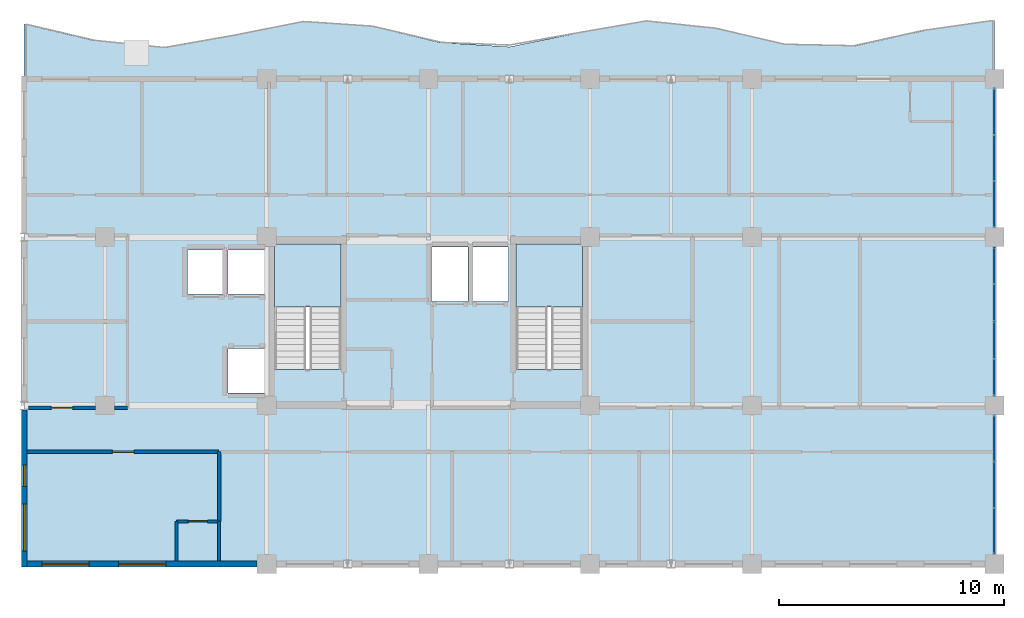
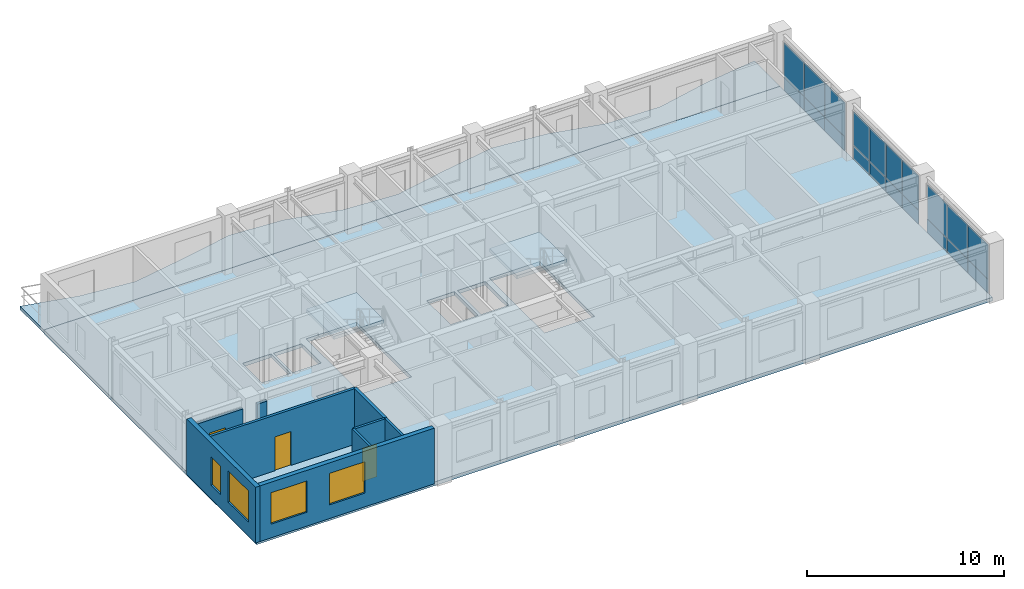
# One storey, part 5 of 11: 20 plates, 9 walls, 4 slabs, 4 windows, 3 doors, 7 openings, 5 elements without a shape of their own.
"""IFC4 building model written with IfcOpenShell, lengths in metres."""

from ifc_helpers import new_model, si_unit, direction, frame, frame_2d, origin, origin_2d, place, context, subcontext, project, spatial, polyline, rectangle, outline, extrude, source, transform, mapped, material, layer, layer_set, type_object, element, fill, aggregate, save


model = new_model("IFC4")

# Units and contexts
model_context = context("Model", 3, precision=1e-05, world=origin(), true_north=direction((0.0, 1.0)))
body_context = subcontext(model_context, "Body", "Model", "MODEL_VIEW")
ifc_project = project(units=[si_unit("LENGTHUNIT", "METRE"), si_unit("AREAUNIT", "SQUARE_METRE"), si_unit("VOLUMEUNIT", "CUBIC_METRE"), si_unit("PLANEANGLEUNIT", "RADIAN"), si_unit("MASSUNIT", "GRAM", prefix="KILO")], contexts=[model_context])

# Site, building, storey
site_placement = place(None, origin())
site = spatial("IfcSite", under=ifc_project, at=site_placement, CompositionType="ELEMENT")
building_placement = place(site_placement, origin())
building = spatial("IfcBuilding", under=site, at=building_placement, Name="Kaliganga Portal Commons", CompositionType="ELEMENT")
storey_placement = place(building_placement, frame((0.0, 0.0, 253.60009765625)))
storey = spatial("IfcBuildingStorey", under=building, at=storey_placement, Name="L65", CompositionType="ELEMENT", Elevation=253.60009765625)

# Slab
ifc_material_1 = material(Name="Concrete C40/50", Category="concrete")
ifc_layer_1 = layer(ifc_material_1, 0.2099609375)
ifc_layer_set_1 = layer_set([ifc_layer_1], Name="Concrete C40/50")
slab_type_1 = type_object("IfcSlabType", Name="SLB-BALC-210", PredefinedType="FLOOR", material=ifc_layer_set_1)
slab_1_placement = place(storey_placement, frame((0.0, 0.0, -0.210205078125)))
element("IfcSlab", 1, at=slab_1_placement, inside=storey, type_object=slab_type_1, Name="Scalloped Tree-Planter Balcony Slab L65 balc_north", PredefinedType="FLOOR", context=body_context, shape_type="SweptSolid", body=[
    extrude(outline(polyline([(46.800048828125, 43.199951171875), (46.800048828125, 45.800048828125), (43.71435546875, 45.3583984375), (40.628662109375, 44.673828125), (37.54296875, 44.739501953125), (34.45703125, 45.460205078125), (31.371337890625, 45.790283203125), (28.28564453125, 45.2509765625), (25.199951171875, 44.624755859375), (22.1142578125, 44.81982421875), (19.028564453125, 45.553466796875), (15.94287109375, 45.76123046875), (12.857177734375, 45.141845703125), (9.771484375, 44.59375), (6.685791015625, 44.912109375), (3.60009765625, 45.635009765625), (3.60009765625, 43.199951171875), (46.800048828125, 43.199951171875)])), origin(), (0.0, 0.0, 1.0), 0.210205078125),
])

# Stair, slab
stair_type = type_object("IfcStairType", Name="ST-CORE-DOGLEG", PredefinedType="HALF_TURN_STAIR", material=ifc_material_1)
stair_1_placement = place(storey_placement, origin())
stair_1 = element("IfcStair", 2, at=stair_1_placement, inside=storey, type_object=stair_type, Name="L65 Protected Exit Stair ST-A1", PredefinedType="HALF_TURN_STAIR")
ifc_layer_2 = layer(ifc_material_1, 0.199951171875)
ifc_layer_set_2 = layer_set([ifc_layer_2], Name="Concrete C40/50")
slab_type_2 = type_object("IfcSlabType", Name="SLB-STAIR-LND", PredefinedType="LANDING", material=ifc_layer_set_2)
slab_2_placement = place(storey_placement, frame((0.0, 0.0, 1.64990234375)))
slab_2 = element("IfcSlab", 3, at=slab_2_placement, type_object=slab_type_2, Name="ST-A1 landing 1", PredefinedType="LANDING", context=body_context, shape_type="SweptSolid", body=[
    extrude(outline(polyline([(17.699951171875, 33.050048828125), (17.699951171875, 35.85009765625), (14.75, 35.85009765625), (14.75, 33.050048828125), (17.699951171875, 33.050048828125)])), origin(), (0.0, 0.0, 1.0), 0.199951171875),
])
aggregate(stair_1, [slab_2])

stair_2_placement = place(storey_placement, origin())
stair_2 = element("IfcStair", 4, at=stair_2_placement, inside=storey, type_object=stair_type, Name="L65 Protected Exit Stair ST-A2", PredefinedType="HALF_TURN_STAIR")
slab_3_placement = place(storey_placement, frame((0.0, 0.0, 1.64990234375)))
slab_3 = element("IfcSlab", 5, at=slab_3_placement, type_object=slab_type_2, Name="ST-A2 landing 1", PredefinedType="LANDING", context=body_context, shape_type="SweptSolid", body=[
    extrude(outline(polyline([(28.449951171875, 33.050048828125), (28.449951171875, 35.85009765625), (25.5, 35.85009765625), (25.5, 33.050048828125), (28.449951171875, 33.050048828125)])), origin(), (0.0, 0.0, 1.0), 0.199951171875),
])
aggregate(stair_2, [slab_3])

# Slab
ifc_layer_3 = layer(ifc_material_1, 0.22509765625)
ifc_layer_set_3 = layer_set([ifc_layer_3], Name="Concrete C40/50")
slab_type_3 = type_object("IfcSlabType", Name="SLB-TWR-220", PredefinedType="FLOOR", material=ifc_layer_set_3)
slab_4_placement = place(storey_placement, frame((0.0, 0.0, -0.22509765625)))
element("IfcSlab", 6, at=slab_4_placement, inside=storey, type_object=slab_type_3, Name="Structural Floor Slab L65", PredefinedType="FLOOR", context=body_context, shape_type="SweptSolid", body=[
    extrude(outline(polyline([(3.60009765625, 21.60009765625), (46.800048828125, 21.60009765625), (46.800048828125, 43.199951171875), (3.60009765625, 43.199951171875), (3.60009765625, 21.60009765625)]), holes=[polyline([(14.75, 30.25390625), (14.75, 35.85009765625), (17.699951171875, 35.85009765625), (17.699951171875, 30.25390625), (14.75, 30.25390625)]), polyline([(25.5, 30.25390625), (25.5, 35.85009765625), (28.449951171875, 35.85009765625), (28.449951171875, 30.25390625), (25.5, 30.25390625)]), polyline([(12.6650390625, 33.614990234375), (12.6650390625, 35.5849609375), (14.3349609375, 35.5849609375), (14.3349609375, 33.614990234375), (12.6650390625, 33.614990234375)]), polyline([(12.6650390625, 29.215087890625), (12.6650390625, 31.18505859375), (14.3349609375, 31.18505859375), (14.3349609375, 29.215087890625), (12.6650390625, 29.215087890625)]), polyline([(10.864990234375, 33.614990234375), (10.864990234375, 35.5849609375), (12.534912109375, 35.5849609375), (12.534912109375, 33.614990234375), (10.864990234375, 33.614990234375)]), polyline([(21.739990234375, 33.2900390625), (21.739990234375, 35.7099609375), (23.360107421875, 35.7099609375), (23.360107421875, 33.2900390625), (21.739990234375, 33.2900390625)]), polyline([(23.5400390625, 33.2900390625), (23.5400390625, 35.7099609375), (25.159912109375, 35.7099609375), (25.159912109375, 33.2900390625), (23.5400390625, 33.2900390625)])]), origin(), (0.0, 0.0, 1.0), 0.22509765625),
])

# Curtain wall, plates
ifc_material_2 = material(Name="Anodized Aluminium and Laminated Low-E Glass", Category="aluminium")
ifc_layer_4 = layer(ifc_material_2, 0.18994140625)
ifc_layer_set_4 = layer_set([ifc_layer_4], Name="Anodized Aluminium and Laminated Low-E Glass")
curtain_wall_type = type_object("IfcCurtainWallType", Name="CW-SYS-05", PredefinedType="NOTDEFINED", material=ifc_layer_set_4)
curtain_wall_1_placement = place(storey_placement, origin())
curtain_wall_1 = element("IfcCurtainWall", 7, at=curtain_wall_1_placement, inside=storey, type_object=curtain_wall_type, Name="CW 05 L65 P1E01S1", PredefinedType="NOTDEFINED")
ifc_material_3 = material(Name="Insulated Dark Spandrel Panel", Category="metal")
ifc_layer_5 = layer(ifc_material_3, 0.044921875)
ifc_layer_set_5 = layer_set([ifc_layer_5], Name="Insulated Dark Spandrel Panel")
plate_type_1 = type_object("IfcPlateType", Name="PLT-SPN-45", PredefinedType="SHEET", material=ifc_layer_set_5)
shared_shape_1 = source(origin(), body_context, "Body", "SweptSolid", [
    extrude(rectangle(XDim=2.02587890625, YDim=0.044921875, at=origin_2d()), origin(), (0.0, 0.0, 1.0), 0.841064453125),
])
plate_1_placement = place(storey_placement, frame((46.800048828125, 23.05908203125, 0.009765625), z_axis=(0.0, 0.0, 1.0), x_axis=(0.0, 1.0, 0.0)))
plate_1 = element("IfcPlate", 8, at=plate_1_placement, type_object=plate_type_1, Name="CW:05:L65:P1E01S1 Spandrel 00", PredefinedType="SHEET", context=body_context, shape_type="MappedRepresentation", body=[
    mapped(shared_shape_1, transform((0.0, 0.0, 0.0), x_axis=(1.0, 0.0, 0.0), y_axis=(0.0, 1.0, 0.0), z_axis=(0.0, 0.0, 1.0), scale=1.0)),
])
plate_2_placement = place(storey_placement, frame((46.800048828125, 25.125, 0.009765625), z_axis=(0.0, 0.0, 1.0), x_axis=(0.0, 1.0, 0.0)))
plate_2 = element("IfcPlate", 9, at=plate_2_placement, type_object=plate_type_1, Name="CW:05:L65:P1E01S1 Spandrel 01", PredefinedType="SHEET", context=body_context, shape_type="MappedRepresentation", body=[
    mapped(shared_shape_1, transform((0.0, 0.0, 0.0), x_axis=(1.0, 0.0, 0.0), y_axis=(0.0, 1.0, 0.0), z_axis=(0.0, 0.0, 1.0), scale=1.0)),
])
plate_3_placement = place(storey_placement, frame((46.800048828125, 27.19091796875, 0.009765625), z_axis=(0.0, 0.0, 1.0), x_axis=(0.0, 1.0, 0.0)))
plate_3 = element("IfcPlate", 10, at=plate_3_placement, type_object=plate_type_1, Name="CW:05:L65:P1E01S1 Spandrel 02", PredefinedType="SHEET", context=body_context, shape_type="MappedRepresentation", body=[
    mapped(shared_shape_1, transform((0.0, 0.0, 0.0), x_axis=(1.0, 0.0, 0.0), y_axis=(0.0, 1.0, 0.0), z_axis=(0.0, 0.0, 1.0), scale=1.0)),
])

curtain_wall_2_placement = place(storey_placement, origin())
curtain_wall_2 = element("IfcCurtainWall", 11, at=curtain_wall_2_placement, inside=storey, type_object=curtain_wall_type, Name="CW 05 L65 P1E01S3", PredefinedType="NOTDEFINED")
plate_4_placement = place(storey_placement, frame((46.800048828125, 37.60888671875, 0.009765625), z_axis=(0.0, 0.0, 1.0), x_axis=(0.0, 1.0, 0.0)))
plate_4 = element("IfcPlate", 12, at=plate_4_placement, type_object=plate_type_1, Name="CW:05:L65:P1E01S3 Spandrel 00", PredefinedType="SHEET", context=body_context, shape_type="MappedRepresentation", body=[
    mapped(shared_shape_1, transform((0.0, 0.0, 0.0), x_axis=(1.0, 0.0, 0.0), y_axis=(0.0, 1.0, 0.0), z_axis=(0.0, 0.0, 1.0), scale=1.0)),
])
plate_5_placement = place(storey_placement, frame((46.800048828125, 39.675048828125, 0.009765625), z_axis=(0.0, 0.0, 1.0), x_axis=(0.0, 1.0, 0.0)))
plate_5 = element("IfcPlate", 13, at=plate_5_placement, type_object=plate_type_1, Name="CW:05:L65:P1E01S3 Spandrel 01", PredefinedType="SHEET", context=body_context, shape_type="MappedRepresentation", body=[
    mapped(shared_shape_1, transform((0.0, 0.0, 0.0), x_axis=(1.0, 0.0, 0.0), y_axis=(0.0, 1.0, 0.0), z_axis=(0.0, 0.0, 1.0), scale=1.0)),
])
plate_6_placement = place(storey_placement, frame((46.800048828125, 41.740966796875, 0.009765625), z_axis=(0.0, 0.0, 1.0), x_axis=(0.0, 1.0, 0.0)))
plate_6 = element("IfcPlate", 14, at=plate_6_placement, type_object=plate_type_1, Name="CW:05:L65:P1E01S3 Spandrel 02", PredefinedType="SHEET", context=body_context, shape_type="MappedRepresentation", body=[
    mapped(shared_shape_1, transform((0.0, 0.0, 0.0), x_axis=(1.0, 0.0, 0.0), y_axis=(0.0, 1.0, 0.0), z_axis=(0.0, 0.0, 1.0), scale=1.0)),
])

# Plate
ifc_material_4 = material(Name="Dark Solar-Control Laminated Low-E IGU", Category="glass")
ifc_layer_6 = layer(ifc_material_4, 0.028076171875)
ifc_layer_set_6 = layer_set([ifc_layer_6], Name="Dark Solar-Control Laminated Low-E IGU")
plate_type_2 = type_object("IfcPlateType", Name="PLT-GLZ-28", PredefinedType="CURTAIN_PANEL", material=ifc_layer_set_6)
shared_shape_2 = source(origin(), body_context, "Body", "SweptSolid", [
    extrude(rectangle(XDim=2.02587890625, YDim=0.028076171875, at=origin_2d()), origin(), (0.0, 0.0, 1.0), 2.114013671875),
])
plate_7_placement = place(storey_placement, frame((46.800048828125, 23.05908203125, 0.87109375), z_axis=(0.0, 0.0, 1.0), x_axis=(0.0, 1.0, 0.0)))
plate_7 = element("IfcPlate", 15, at=plate_7_placement, type_object=plate_type_2, Name="CW:05:L65:P1E01S1 Vision IGU 00", PredefinedType="CURTAIN_PANEL", context=body_context, shape_type="MappedRepresentation", body=[
    mapped(shared_shape_2, transform((0.0, 0.0, 0.0), x_axis=(1.0, 0.0, 0.0), y_axis=(0.0, 1.0, 0.0), z_axis=(0.0, 0.0, 1.0), scale=1.0)),
])

plate_8_placement = place(storey_placement, frame((46.800048828125, 25.125, 0.87109375), z_axis=(0.0, 0.0, 1.0), x_axis=(0.0, 1.0, 0.0)))
plate_8 = element("IfcPlate", 16, at=plate_8_placement, type_object=plate_type_2, Name="CW:05:L65:P1E01S1 Vision IGU 01", PredefinedType="CURTAIN_PANEL", context=body_context, shape_type="MappedRepresentation", body=[
    mapped(shared_shape_2, transform((0.0, 0.0, 0.0), x_axis=(1.0, 0.0, 0.0), y_axis=(0.0, 1.0, 0.0), z_axis=(0.0, 0.0, 1.0), scale=1.0)),
])

plate_9_placement = place(storey_placement, frame((46.800048828125, 27.19091796875, 0.87109375), z_axis=(0.0, 0.0, 1.0), x_axis=(0.0, 1.0, 0.0)))
plate_9 = element("IfcPlate", 17, at=plate_9_placement, type_object=plate_type_2, Name="CW:05:L65:P1E01S1 Vision IGU 02", PredefinedType="CURTAIN_PANEL", context=body_context, shape_type="MappedRepresentation", body=[
    mapped(shared_shape_2, transform((0.0, 0.0, 0.0), x_axis=(1.0, 0.0, 0.0), y_axis=(0.0, 1.0, 0.0), z_axis=(0.0, 0.0, 1.0), scale=1.0)),
])

aggregate(curtain_wall_1, [plate_1, plate_7, plate_2, plate_8, plate_3, plate_9])

plate_10_placement = place(storey_placement, frame((46.800048828125, 37.60888671875, 0.87109375), z_axis=(0.0, 0.0, 1.0), x_axis=(0.0, 1.0, 0.0)))
plate_10 = element("IfcPlate", 18, at=plate_10_placement, type_object=plate_type_2, Name="CW:05:L65:P1E01S3 Vision IGU 00", PredefinedType="CURTAIN_PANEL", context=body_context, shape_type="MappedRepresentation", body=[
    mapped(shared_shape_2, transform((0.0, 0.0, 0.0), x_axis=(1.0, 0.0, 0.0), y_axis=(0.0, 1.0, 0.0), z_axis=(0.0, 0.0, 1.0), scale=1.0)),
])

plate_11_placement = place(storey_placement, frame((46.800048828125, 39.675048828125, 0.87109375), z_axis=(0.0, 0.0, 1.0), x_axis=(0.0, 1.0, 0.0)))
plate_11 = element("IfcPlate", 19, at=plate_11_placement, type_object=plate_type_2, Name="CW:05:L65:P1E01S3 Vision IGU 01", PredefinedType="CURTAIN_PANEL", context=body_context, shape_type="MappedRepresentation", body=[
    mapped(shared_shape_2, transform((0.0, 0.0, 0.0), x_axis=(1.0, 0.0, 0.0), y_axis=(0.0, 1.0, 0.0), z_axis=(0.0, 0.0, 1.0), scale=1.0)),
])

plate_12_placement = place(storey_placement, frame((46.800048828125, 41.740966796875, 0.87109375), z_axis=(0.0, 0.0, 1.0), x_axis=(0.0, 1.0, 0.0)))
plate_12 = element("IfcPlate", 20, at=plate_12_placement, type_object=plate_type_2, Name="CW:05:L65:P1E01S3 Vision IGU 02", PredefinedType="CURTAIN_PANEL", context=body_context, shape_type="MappedRepresentation", body=[
    mapped(shared_shape_2, transform((0.0, 0.0, 0.0), x_axis=(1.0, 0.0, 0.0), y_axis=(0.0, 1.0, 0.0), z_axis=(0.0, 0.0, 1.0), scale=1.0)),
])

aggregate(curtain_wall_2, [plate_4, plate_10, plate_5, plate_11, plate_6, plate_12])

# Curtain wall, plates
curtain_wall_3_placement = place(storey_placement, origin())
curtain_wall_3 = element("IfcCurtainWall", 21, at=curtain_wall_3_placement, inside=storey, type_object=curtain_wall_type, Name="CW 05 L65 P1E01S2", PredefinedType="NOTDEFINED")
shared_shape_3 = source(origin(), body_context, "Body", "SweptSolid", [
    extrude(rectangle(XDim=1.6220703125, YDim=0.044921875, at=origin_2d()), origin(), (0.0, 0.0, 1.0), 0.841064453125),
])
plate_13_placement = place(storey_placement, frame((46.800048828125, 29.906982421875, 0.009765625), z_axis=(0.0, 0.0, 1.0), x_axis=(0.0, 1.0, 0.0)))
plate_13 = element("IfcPlate", 22, at=plate_13_placement, type_object=plate_type_1, Name="CW:05:L65:P1E01S2 Spandrel 00", PredefinedType="SHEET", context=body_context, shape_type="MappedRepresentation", body=[
    mapped(shared_shape_3, transform((0.0, 0.0, 0.0), x_axis=(1.0, 0.0, 0.0), y_axis=(0.0, 1.0, 0.0), z_axis=(0.0, 0.0, 1.0), scale=1.0)),
])
plate_14_placement = place(storey_placement, frame((46.800048828125, 31.569091796875, 0.009765625), z_axis=(0.0, 0.0, 1.0), x_axis=(0.0, 1.0, 0.0)))
plate_14 = element("IfcPlate", 23, at=plate_14_placement, type_object=plate_type_1, Name="CW:05:L65:P1E01S2 Spandrel 01", PredefinedType="SHEET", context=body_context, shape_type="MappedRepresentation", body=[
    mapped(shared_shape_3, transform((0.0, 0.0, 0.0), x_axis=(1.0, 0.0, 0.0), y_axis=(0.0, 1.0, 0.0), z_axis=(0.0, 0.0, 1.0), scale=1.0)),
])
plate_15_placement = place(storey_placement, frame((46.800048828125, 33.23095703125, 0.009765625), z_axis=(0.0, 0.0, 1.0), x_axis=(0.0, 1.0, 0.0)))
plate_15 = element("IfcPlate", 24, at=plate_15_placement, type_object=plate_type_1, Name="CW:05:L65:P1E01S2 Spandrel 02", PredefinedType="SHEET", context=body_context, shape_type="MappedRepresentation", body=[
    mapped(shared_shape_3, transform((0.0, 0.0, 0.0), x_axis=(1.0, 0.0, 0.0), y_axis=(0.0, 1.0, 0.0), z_axis=(0.0, 0.0, 1.0), scale=1.0)),
])
plate_16_placement = place(storey_placement, frame((46.800048828125, 34.89306640625, 0.009765625), z_axis=(0.0, 0.0, 1.0), x_axis=(0.0, 1.0, 0.0)))
plate_16 = element("IfcPlate", 25, at=plate_16_placement, type_object=plate_type_1, Name="CW:05:L65:P1E01S2 Spandrel 03", PredefinedType="SHEET", context=body_context, shape_type="MappedRepresentation", body=[
    mapped(shared_shape_3, transform((0.0, 0.0, 0.0), x_axis=(1.0, 0.0, 0.0), y_axis=(0.0, 1.0, 0.0), z_axis=(0.0, 0.0, 1.0), scale=1.0)),
])
shared_shape_4 = source(origin(), body_context, "Body", "SweptSolid", [
    extrude(rectangle(XDim=1.6220703125, YDim=0.028076171875, at=origin_2d()), origin(), (0.0, 0.0, 1.0), 2.114013671875),
])
plate_17_placement = place(storey_placement, frame((46.800048828125, 29.906982421875, 0.87109375), z_axis=(0.0, 0.0, 1.0), x_axis=(0.0, 1.0, 0.0)))
plate_17 = element("IfcPlate", 26, at=plate_17_placement, type_object=plate_type_2, Name="CW:05:L65:P1E01S2 Vision IGU 00", PredefinedType="CURTAIN_PANEL", context=body_context, shape_type="MappedRepresentation", body=[
    mapped(shared_shape_4, transform((0.0, 0.0, 0.0), x_axis=(1.0, 0.0, 0.0), y_axis=(0.0, 1.0, 0.0), z_axis=(0.0, 0.0, 1.0), scale=1.0)),
])
plate_18_placement = place(storey_placement, frame((46.800048828125, 31.569091796875, 0.87109375), z_axis=(0.0, 0.0, 1.0), x_axis=(0.0, 1.0, 0.0)))
plate_18 = element("IfcPlate", 27, at=plate_18_placement, type_object=plate_type_2, Name="CW:05:L65:P1E01S2 Vision IGU 01", PredefinedType="CURTAIN_PANEL", context=body_context, shape_type="MappedRepresentation", body=[
    mapped(shared_shape_4, transform((0.0, 0.0, 0.0), x_axis=(1.0, 0.0, 0.0), y_axis=(0.0, 1.0, 0.0), z_axis=(0.0, 0.0, 1.0), scale=1.0)),
])
plate_19_placement = place(storey_placement, frame((46.800048828125, 33.23095703125, 0.87109375), z_axis=(0.0, 0.0, 1.0), x_axis=(0.0, 1.0, 0.0)))
plate_19 = element("IfcPlate", 28, at=plate_19_placement, type_object=plate_type_2, Name="CW:05:L65:P1E01S2 Vision IGU 02", PredefinedType="CURTAIN_PANEL", context=body_context, shape_type="MappedRepresentation", body=[
    mapped(shared_shape_4, transform((0.0, 0.0, 0.0), x_axis=(1.0, 0.0, 0.0), y_axis=(0.0, 1.0, 0.0), z_axis=(0.0, 0.0, 1.0), scale=1.0)),
])
plate_20_placement = place(storey_placement, frame((46.800048828125, 34.89306640625, 0.87109375), z_axis=(0.0, 0.0, 1.0), x_axis=(0.0, 1.0, 0.0)))
plate_20 = element("IfcPlate", 29, at=plate_20_placement, type_object=plate_type_2, Name="CW:05:L65:P1E01S2 Vision IGU 03", PredefinedType="CURTAIN_PANEL", context=body_context, shape_type="MappedRepresentation", body=[
    mapped(shared_shape_4, transform((0.0, 0.0, 0.0), x_axis=(1.0, 0.0, 0.0), y_axis=(0.0, 1.0, 0.0), z_axis=(0.0, 0.0, 1.0), scale=1.0)),
])
aggregate(curtain_wall_3, [plate_13, plate_17, plate_14, plate_18, plate_15, plate_19, plate_16, plate_20])

# Wall, openings, windows
ifc_material_5 = material(Name="Insulated Aluminium-Clad Spandrel Assembly", Category="aluminium")
ifc_layer_7 = layer(ifc_material_5, 0.260009765625)
ifc_layer_set_7 = layer_set([ifc_layer_7], Name="Insulated Aluminium-Clad Spandrel Assembly")
wall_type_1 = type_object("IfcWallType", Name="WL-EXT-SPAND-260", PredefinedType="STANDARD", material=ifc_layer_set_7)
wall_1_placement = place(storey_placement, frame((13.97412109375, 21.60009765625, 0.0), z_axis=(0.0, 0.0, 1.0), x_axis=(-1.0, 0.0, 0.0)))
wall_1 = element("IfcWall", 30, at=wall_1_placement, inside=storey, type_object=wall_type_1, Name="Exterior Envelope Wall L65 P1-E00-S1", PredefinedType="STANDARD", context=body_context, shape_type="SweptSolid", body=[
    extrude(rectangle(XDim=10.239013671875, YDim=0.260009765625, at=frame_2d((5.11962890625, 0.0))), origin(), (0.0, 0.0, 1.0), 3.454833984375),
])
opening_1_placement = place(wall_1_placement, frame((4.069580078125, 0.0, 0.85009765625)))
opening_1 = element("IfcOpeningElement", 31, at=opening_1_placement, cuts=wall_1, Name="Opening W-06", PredefinedType="OPENING", context=body_context, shape_type="SweptSolid", body=[
    extrude(rectangle(XDim=2.10009765625, YDim=1.949951171875, at=frame_2d((1.050048828125, 0.97509765625))), frame((0.0, 0.14013671875, 0.0), z_axis=(0.0, -1.0, 0.0), x_axis=(1.0, 0.0, 0.0)), (0.0, 0.0, 1.0), 0.280029296875),
])
opening_2_placement = place(wall_1_placement, frame((7.482421875, 0.0, 0.85009765625)))
opening_2 = element("IfcOpeningElement", 32, at=opening_2_placement, cuts=wall_1, Name="Opening W-06", PredefinedType="OPENING", context=body_context, shape_type="SweptSolid", body=[
    extrude(rectangle(XDim=2.10009765625, YDim=1.949951171875, at=frame_2d((1.050048828125, 0.97509765625))), frame((0.0, 0.14013671875, 0.0), z_axis=(0.0, -1.0, 0.0), x_axis=(1.0, 0.0, 0.0)), (0.0, 0.0, 1.0), 0.280029296875),
])
ifc_material_6 = material(Name="Thermally Broken Aluminium and Low-E Double Glazing", Category="aluminium")
window_type_1 = type_object("IfcWindowType", Name="WIN-PAN-2100", PartitioningType="DOUBLE_PANEL_VERTICAL", PredefinedType="WINDOW", material=ifc_material_6)
window_1_placement = place(opening_1_placement, origin())
window_1 = element("IfcWindow", 33, at=window_1_placement, inside=storey, type_object=window_type_1, Name="Facade Window L65-P1E00S1-01", OverallHeight=1.949951171875, OverallWidth=2.10009765625, PartitioningType="SINGLE_PANEL", PredefinedType="WINDOW", context=body_context, shape_type="SweptSolid", body=[
    extrude(rectangle(XDim=2.10009765625, YDim=1.949951171875, at=frame_2d((1.050048828125, 0.97509765625))), frame((0.0, 0.030029296875, 0.0), z_axis=(0.0, -1.0, 0.0), x_axis=(1.0, 0.0, 0.0)), (0.0, 0.0, 1.0), 0.06005859375),
])
fill(opening_1, window_1)
window_2_placement = place(opening_2_placement, origin())
window_2 = element("IfcWindow", 34, at=window_2_placement, inside=storey, type_object=window_type_1, Name="Facade Window L65-P1E00S1-02", OverallHeight=1.949951171875, OverallWidth=2.10009765625, PartitioningType="SINGLE_PANEL", PredefinedType="WINDOW", context=body_context, shape_type="SweptSolid", body=[
    extrude(rectangle(XDim=2.10009765625, YDim=1.949951171875, at=frame_2d((1.050048828125, 0.97509765625))), frame((0.0, 0.030029296875, 0.0), z_axis=(0.0, -1.0, 0.0), x_axis=(1.0, 0.0, 0.0)), (0.0, 0.0, 1.0), 0.06005859375),
])
fill(opening_2, window_2)

wall_2_placement = place(storey_placement, frame((3.60009765625, 21.469970703125, 0.0), z_axis=(0.0, 0.0, 1.0), x_axis=(0.0, 1.0, 0.0)))
wall_2 = element("IfcWall", 35, at=wall_2_placement, inside=storey, type_object=wall_type_1, Name="Exterior Envelope Wall L65 P1-E03-S3", PredefinedType="STANDARD", context=body_context, shape_type="SweptSolid", body=[
    extrude(rectangle(XDim=6.992919921875, YDim=0.260009765625, at=frame_2d((3.49658203125, 0.0))), origin(), (0.0, 0.0, 1.0), 3.454833984375),
])
opening_3_placement = place(wall_2_placement, frame((0.6982421875, 0.0, 0.85009765625)))
opening_3 = element("IfcOpeningElement", 36, at=opening_3_placement, cuts=wall_2, Name="Opening W-06", PredefinedType="OPENING", context=body_context, shape_type="SweptSolid", body=[
    extrude(rectangle(XDim=2.10009765625, YDim=1.949951171875, at=frame_2d((1.050048828125, 0.97509765625))), frame((0.0, 0.14013671875, 0.0), z_axis=(0.0, -1.0, 0.0), x_axis=(1.0, 0.0, 0.0)), (0.0, 0.0, 1.0), 0.280029296875),
])
opening_4_placement = place(wall_2_placement, frame((3.580810546875, 0.0, 0.85009765625)))
opening_4 = element("IfcOpeningElement", 37, at=opening_4_placement, cuts=wall_2, Name="Opening W-04", PredefinedType="OPENING", context=body_context, shape_type="SweptSolid", body=[
    extrude(rectangle(XDim=0.949951171875, YDim=1.75, at=frame_2d((0.47509765625, 0.875))), frame((0.0, 0.14013671875, 0.0), z_axis=(0.0, -1.0, 0.0), x_axis=(1.0, 0.0, 0.0)), (0.0, 0.0, 1.0), 0.280029296875),
])
window_type_2 = type_object("IfcWindowType", Name="WIN-NARROW-950", PartitioningType="SINGLE_PANEL", PredefinedType="WINDOW", material=ifc_material_6)
window_3_placement = place(opening_4_placement, origin())
window_3 = element("IfcWindow", 38, at=window_3_placement, inside=storey, type_object=window_type_2, Name="Facade Window L65-P1E03S3-N6", OverallHeight=1.75, OverallWidth=0.949951171875, PartitioningType="SINGLE_PANEL", PredefinedType="WINDOW", context=body_context, shape_type="SweptSolid", body=[
    extrude(rectangle(XDim=0.949951171875, YDim=1.75, at=frame_2d((0.47509765625, 0.875))), frame((0.0, 0.030029296875, 0.0), z_axis=(0.0, -1.0, 0.0), x_axis=(1.0, 0.0, 0.0)), (0.0, 0.0, 1.0), 0.06005859375),
])
fill(opening_4, window_3)
window_4_placement = place(opening_3_placement, origin())
window_4 = element("IfcWindow", 39, at=window_4_placement, inside=storey, type_object=window_type_1, Name="Facade Window L65-P1E03S3-00", OverallHeight=1.949951171875, OverallWidth=2.10009765625, PartitioningType="SINGLE_PANEL", PredefinedType="WINDOW", context=body_context, shape_type="SweptSolid", body=[
    extrude(rectangle(XDim=2.10009765625, YDim=1.949951171875, at=frame_2d((1.050048828125, 0.97509765625))), frame((0.0, 0.030029296875, 0.0), z_axis=(0.0, -1.0, 0.0), x_axis=(1.0, 0.0, 0.0)), (0.0, 0.0, 1.0), 0.06005859375),
])
fill(opening_3, window_4)

# Wall, opening, door
ifc_material_7 = material(Name="Fire-Rated Gypsum Board on Steel Stud", Category="steel")
ifc_layer_8 = layer(ifc_material_7, 0.14990234375)
ifc_layer_set_8 = layer_set([ifc_layer_8], Name="Fire-Rated Gypsum Board on Steel Stud")
wall_type_2 = type_object("IfcWallType", Name="WL-PART-CORR-150", PredefinedType="PARTITIONING", material=ifc_layer_set_8)
wall_3_placement = place(storey_placement, frame((3.73193359375, 26.60009765625, 0.0), z_axis=(0.0, 0.0, 1.0), x_axis=(1.0, 0.0, 0.0)))
wall_3 = element("IfcWall", 40, at=wall_3_placement, inside=storey, type_object=wall_type_2, Name="Interior Partition L65-011", PredefinedType="PARTITIONING", context=body_context, shape_type="SweptSolid", body=[
    extrude(rectangle(XDim=8.548095703125, YDim=0.14990234375, at=frame_2d((4.27392578125, 0.0))), origin(), (0.0, 0.0, 1.0), 3.454833984375),
])
opening_5_placement = place(wall_3_placement, frame((3.799072265625, 0.0, 0.0)))
opening_5 = element("IfcOpeningElement", 41, at=opening_5_placement, cuts=wall_3, Name="Opening UD-01", PredefinedType="OPENING", context=body_context, shape_type="SweptSolid", body=[
    extrude(rectangle(XDim=0.949951171875, YDim=2.10009765625, at=frame_2d((0.47509765625, 1.050048828125))), frame((0.0, 0.0849609375, 0.0), z_axis=(0.0, -1.0, 0.0), x_axis=(1.0, 0.0, 0.0)), (0.0, 0.0, 1.0), 0.169921875),
])
ifc_material_8 = material(Name="Solid-Core Timber Acoustic Fire Door", Category="wood")
door_type_1 = type_object("IfcDoorType", Name="DR-UNIT-950", OperationType="NOTDEFINED", PredefinedType="DOOR", material=ifc_material_8)
door_1_placement = place(opening_5_placement, origin())
door_1 = element("IfcDoor", 42, at=door_1_placement, inside=storey, type_object=door_type_1, Name="Interior Door L65-AS01", OperationType="SINGLE_SWING_RIGHT", OverallHeight=2.10009765625, OverallWidth=0.949951171875, PredefinedType="DOOR", context=body_context, shape_type="SweptSolid", body=[
    extrude(rectangle(XDim=0.949951171875, YDim=2.10009765625, at=frame_2d((0.47509765625, 1.050048828125))), frame((0.0, 0.02490234375, 0.0), z_axis=(0.0, -1.0, 0.0), x_axis=(1.0, 0.0, 0.0)), (0.0, 0.0, 1.0), 0.050048828125),
])
fill(opening_5, door_1)

wall_4_placement = place(storey_placement, frame((3.787109375, 28.56005859375, 0.0), z_axis=(0.0, 0.0, 1.0), x_axis=(1.0, 0.0, 0.0)))
wall_4 = element("IfcWall", 43, at=wall_4_placement, inside=storey, type_object=wall_type_2, Name="Interior Partition L65-018", PredefinedType="PARTITIONING", context=body_context, shape_type="SweptSolid", body=[
    extrude(rectangle(XDim=2.98779296875, YDim=0.14990234375, at=frame_2d((1.493896484375, 0.0))), origin(), (0.0, 0.0, 1.0), 2.90478515625),
])
opening_6_placement = place(wall_4_placement, frame((1.01904296875, 0.0, 0.0)))
opening_6 = element("IfcOpeningElement", 44, at=opening_6_placement, cuts=wall_4, Name="Opening UD-01", PredefinedType="OPENING", context=body_context, shape_type="SweptSolid", body=[
    extrude(rectangle(XDim=0.949951171875, YDim=2.10009765625, at=frame_2d((0.47509765625, 1.050048828125))), frame((0.0, 0.0849609375, 0.0), z_axis=(0.0, -1.0, 0.0), x_axis=(1.0, 0.0, 0.0)), (0.0, 0.0, 1.0), 0.169921875),
])
door_2_placement = place(opening_6_placement, origin())
door_2 = element("IfcDoor", 45, at=door_2_placement, inside=storey, type_object=door_type_1, Name="Interior Door L65-AW01", OperationType="SINGLE_SWING_RIGHT", OverallHeight=2.10009765625, OverallWidth=0.949951171875, PredefinedType="DOOR", context=body_context, shape_type="SweptSolid", body=[
    extrude(rectangle(XDim=0.949951171875, YDim=2.10009765625, at=frame_2d((0.47509765625, 1.050048828125))), frame((0.0, 0.02490234375, 0.0), z_axis=(0.0, -1.0, 0.0), x_axis=(1.0, 0.0, 0.0)), (0.0, 0.0, 1.0), 0.050048828125),
])
fill(opening_6, door_2)

# Walls
wall_5_placement = place(storey_placement, frame((7.625, 28.56005859375, 0.0), z_axis=(0.0, 0.0, 1.0), x_axis=(1.0, 0.0, 0.0)))
element("IfcWall", 46, at=wall_5_placement, inside=storey, type_object=wall_type_2, Name="Interior Partition L65-019", PredefinedType="PARTITIONING", context=body_context, shape_type="SweptSolid", body=[
    extrude(rectangle(XDim=0.574951171875, YDim=0.14990234375, at=frame_2d((0.28759765625, 0.0))), origin(), (0.0, 0.0, 1.0), 2.90478515625),
])
ifc_material_9 = material(Name="Twin-Stud Acoustic Gypsum Partition", Category="gypsum")
ifc_layer_9 = layer(ifc_material_9, 0.1650390625)
ifc_layer_set_9 = layer_set([ifc_layer_9], Name="Twin-Stud Acoustic Gypsum Partition")
wall_type_3 = type_object("IfcWallType", Name="WL-PART-UNIT-165", PredefinedType="PARTITIONING", material=ifc_layer_set_9)
wall_6_placement = place(storey_placement, frame((12.280029296875, 23.5, 0.0), z_axis=(0.0, 0.0, 1.0), x_axis=(0.0, 1.0, 0.0)))
element("IfcWall", 47, at=wall_6_placement, inside=storey, type_object=wall_type_3, Name="Interior Partition L65-056", PredefinedType="PARTITIONING", context=body_context, shape_type="SweptSolid", body=[
    extrude(rectangle(XDim=3.10009765625, YDim=0.1650390625, at=frame_2d((1.550048828125, 0.0))), origin(), (0.0, 0.0, 1.0), 3.454833984375),
])

# Wall, opening, door
ifc_material_10 = material(Name="Cement-Board Wet-Room Partition", Category="gypsum")
ifc_layer_10 = layer(ifc_material_10, 0.135009765625)
ifc_layer_set_10 = layer_set([ifc_layer_10], Name="Cement-Board Wet-Room Partition")
wall_type_4 = type_object("IfcWallType", Name="WL-PART-WET-135", PredefinedType="PARTITIONING", material=ifc_layer_set_10)
wall_7_placement = place(storey_placement, frame((10.3798828125, 23.5, 0.0), z_axis=(0.0, 0.0, 1.0), x_axis=(1.0, 0.0, 0.0)))
wall_7 = element("IfcWall", 48, at=wall_7_placement, inside=storey, type_object=wall_type_4, Name="Interior Partition L65-003", PredefinedType="PARTITIONING", context=body_context, shape_type="SweptSolid", body=[
    extrude(rectangle(XDim=1.900146484375, YDim=0.135009765625, at=frame_2d((0.9501953125, 0.0))), origin(), (0.0, 0.0, 1.0), 3.454833984375),
])
opening_7_placement = place(wall_7_placement, frame((0.52490234375, 0.0, 0.0)))
opening_7 = element("IfcOpeningElement", 49, at=opening_7_placement, cuts=wall_7, Name="Opening WD-01", PredefinedType="OPENING", context=body_context, shape_type="SweptSolid", body=[
    extrude(rectangle(XDim=0.85009765625, YDim=2.0400390625, at=frame_2d((0.425048828125, 1.02001953125))), frame((0.0, 0.07763671875, 0.0), z_axis=(0.0, -1.0, 0.0), x_axis=(1.0, 0.0, 0.0)), (0.0, 0.0, 1.0), 0.155029296875),
])
ifc_material_11 = material(Name="Moisture-Resistant Laminate Timber Door", Category="wood")
door_type_2 = type_object("IfcDoorType", Name="DR-WET-850", OperationType="NOTDEFINED", PredefinedType="DOOR", material=ifc_material_11)
door_3_placement = place(opening_7_placement, origin())
door_3 = element("IfcDoor", 50, at=door_3_placement, inside=storey, type_object=door_type_2, Name="Interior Door L65-AS01E", OperationType="SINGLE_SWING_LEFT", OverallHeight=2.0400390625, OverallWidth=0.85009765625, PredefinedType="DOOR", context=body_context, shape_type="SweptSolid", body=[
    extrude(rectangle(XDim=0.85009765625, YDim=2.0400390625, at=frame_2d((0.425048828125, 1.02001953125))), frame((0.0, 0.02490234375, 0.0), z_axis=(0.0, -1.0, 0.0), x_axis=(1.0, 0.0, 0.0)), (0.0, 0.0, 1.0), 0.050048828125),
])
fill(opening_7, door_3)

# Walls
for number, where, z_axis, x_axis, name in (
    (51, (10.3798828125, 21.73193359375, 0.0), (0.0, 0.0, 1.0), (0.0, 1.0, 0.0), "Interior Partition L65-005"),
    (52, (12.280029296875, 21.73193359375, 0.0), (0.0, 0.0, 1.0), (0.0, 1.0, 0.0), "Interior Partition L65-006"),
):
    element("IfcWall", number, at=place(storey_placement, frame(where, z_axis=z_axis, x_axis=x_axis)), inside=storey, type_object=wall_type_4, Name=name, PredefinedType="PARTITIONING", context=body_context, shape_type="SweptSolid", body=[
        extrude(rectangle(XDim=1.76806640625, YDim=0.135009765625, at=frame_2d((0.884033203125, 0.0))), origin(), (0.0, 0.0, 1.0), 3.454833984375),
    ])

save(model, "model.ifc")
